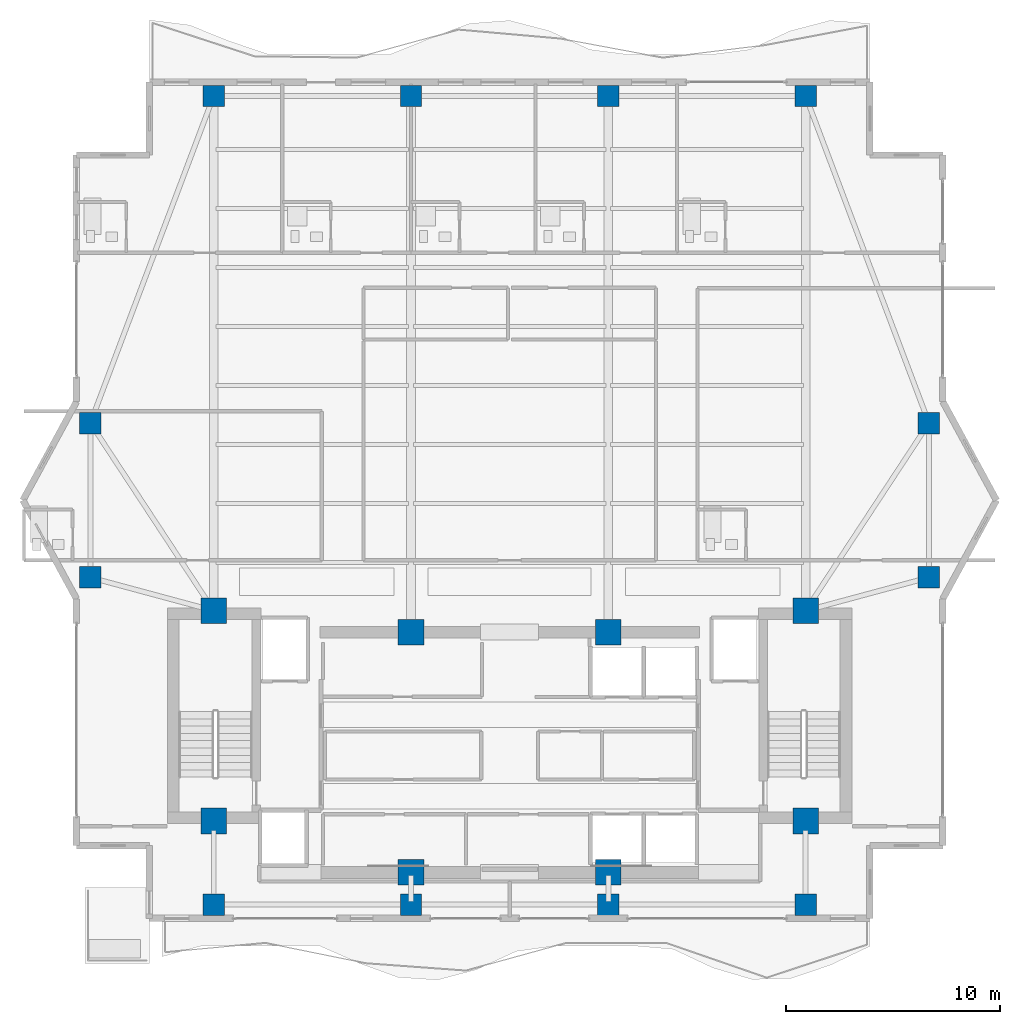
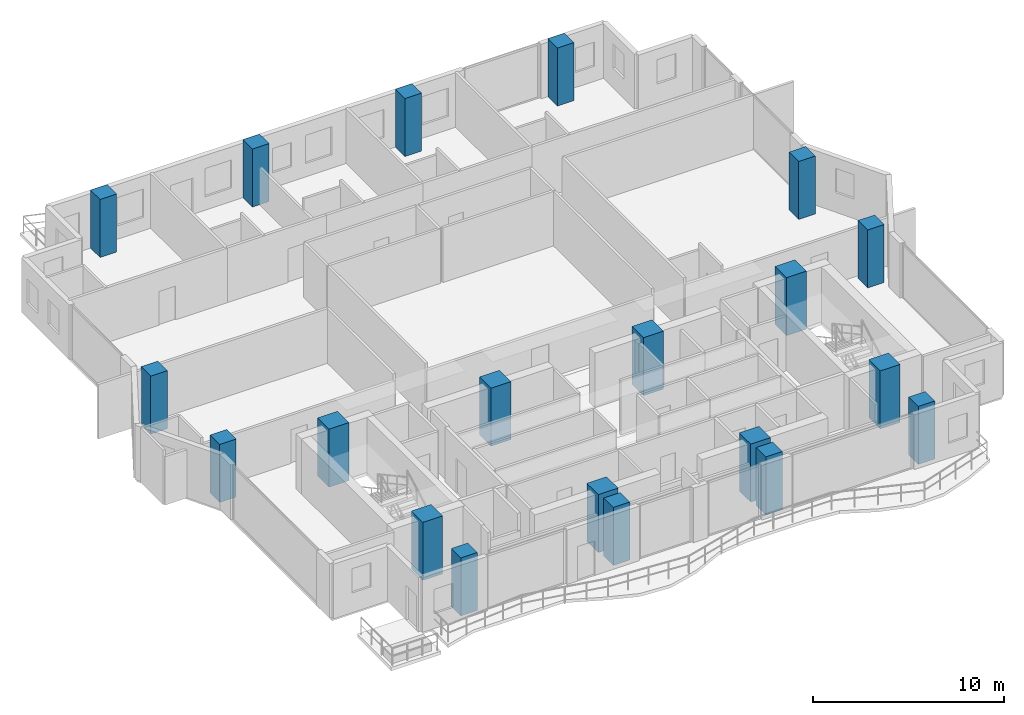
# One storey, part 1 of 26: 20 columns.
"""IFC4 building model written with IfcOpenShell, lengths in metres."""

from ifc_helpers import new_model, si_unit, direction, frame, origin, origin_2d, place, context, subcontext, project, spatial, rectangle, extrude, material, material_profile, profile_set, type_object, element, save


model = new_model("IFC4")

# Units and contexts
model_context = context("Model", 3, precision=1e-05, world=origin(), true_north=direction((0.0, 1.0)))
body_context = subcontext(model_context, "Body", "Model", "MODEL_VIEW")
ifc_project = project(units=[si_unit("LENGTHUNIT", "METRE"), si_unit("AREAUNIT", "SQUARE_METRE"), si_unit("VOLUMEUNIT", "CUBIC_METRE"), si_unit("PLANEANGLEUNIT", "RADIAN"), si_unit("MASSUNIT", "GRAM", prefix="KILO")], contexts=[model_context])

# Site, building, storey
site_placement = place(None, origin())
site = spatial("IfcSite", under=ifc_project, at=site_placement, CompositionType="ELEMENT")
building_placement = place(site_placement, origin())
building = spatial("IfcBuilding", under=site, at=building_placement, Name="Zuhayl Quay Hotel", CompositionType="ELEMENT")
storey_placement = place(building_placement, frame((0.0, 0.0, 247.050048828125)))
storey = spatial("IfcBuildingStorey", under=building, at=storey_placement, Name="L62", CompositionType="ELEMENT", Elevation=247.050048828125)

# Columns
ifc_material = material(Name="Concrete C60/75", Category="concrete")
ifc_material_profile_1 = material_profile(ifc_material, rectangle(XDim=1.199951171875, YDim=1.199951171875, at=origin_2d()), Name="RC1200X1200")
ifc_profile_set_1 = profile_set([ifc_material_profile_1], Name="Concrete C60/75")
column_type_1 = type_object("IfcColumnType", Name="CL_CC2_1200", PredefinedType="COLUMN", material=ifc_profile_set_1)
for number, where, z_axis, x_axis, name in (
    (1, (-13.800048828125, 14.35009765625, 0.0), (0.0, 0.0, 1.0), (1.0, 0.0, 0.0), "L62 Core Column CC_NW"),
    (2, (-4.60009765625, 13.35009765625, 0.0), (0.0, 0.0, 1.0), (1.0, 0.0, 0.0), "L62 Core Column CC_CNW"),
    (3, (4.60009765625, 13.35009765625, 0.0), (0.0, 0.0, 1.0), (1.0, 0.0, 0.0), "L62 Core Column CC_CNE"),
    (4, (13.800048828125, 14.35009765625, 0.0), (0.0, 0.0, 1.0), (1.0, 0.0, 0.0), "L62 Core Column CC_NE"),
    (5, (-13.800048828125, 4.550048828125, 0.0), (0.0, 0.0, 1.0), (1.0, 0.0, 0.0), "L62 Core Column CC_SW"),
    (6, (-4.60009765625, 2.14990234375, 0.0), (0.0, 0.0, 1.0), (1.0, 0.0, 0.0), "L62 Core Column CC_CSW"),
    (7, (4.60009765625, 2.14990234375, 0.0), (0.0, 0.0, 1.0), (1.0, 0.0, 0.0), "L62 Core Column CC_CSE"),
    (8, (13.800048828125, 4.550048828125, 0.0), (0.0, 0.0, 1.0), (1.0, 0.0, 0.0), "L62 Core Column CC_SE"),
):
    element("IfcColumn", number, at=place(storey_placement, frame(where, z_axis=z_axis, x_axis=x_axis)), inside=storey, type_object=column_type_1, Name=name, PredefinedType="COLUMN", context=body_context, shape_type="SweptSolid", body=[
        extrude(rectangle(XDim=1.199951171875, YDim=1.199951171875, at=origin_2d()), origin(), (0.0, 0.0, 1.0), 3.699951171875),
    ])
ifc_material_profile_2 = material_profile(ifc_material, rectangle(XDim=1.0, YDim=1.0, at=origin_2d()), Name="RC1000X1000")
ifc_profile_set_2 = profile_set([ifc_material_profile_2], Name="Concrete C60/75")
column_type_2 = type_object("IfcColumnType", Name="CL_MC4_1000", PredefinedType="COLUMN", material=ifc_profile_set_2)
for number, where, z_axis, x_axis, name in (
    (9, (-13.800048828125, 0.64990234375, 0.0), (0.0, 0.0, 1.0), (1.0, 0.0, 0.0), "L62 Mega-Column MC_S1"),
    (10, (-4.60009765625, 0.64990234375, 0.0), (0.0, 0.0, 1.0), (1.0, 0.0, 0.0), "L62 Mega-Column MC_S2"),
    (11, (4.60009765625, 0.64990234375, 0.0), (0.0, 0.0, 1.0), (1.0, 0.0, 0.0), "L62 Mega-Column MC_S3"),
    (12, (13.800048828125, 0.64990234375, 0.0), (0.0, 0.0, 1.0), (1.0, 0.0, 0.0), "L62 Mega-Column MC_S4"),
    (13, (-13.800048828125, 38.35009765625, 0.0), (0.0, 0.0, 1.0), (1.0, 0.0, 0.0), "L62 Mega-Column MC_N1"),
    (14, (-4.60009765625, 38.35009765625, 0.0), (0.0, 0.0, 1.0), (1.0, 0.0, 0.0), "L62 Mega-Column MC_N2"),
    (15, (4.60009765625, 38.35009765625, 0.0), (0.0, 0.0, 1.0), (1.0, 0.0, 0.0), "L62 Mega-Column MC_N3"),
    (16, (13.800048828125, 38.35009765625, 0.0), (0.0, 0.0, 1.0), (1.0, 0.0, 0.0), "L62 Mega-Column MC_N4"),
    (17, (-19.550048828125, 15.89990234375, 0.0), (0.0, 0.0, 1.0), (1.0, 0.0, 0.0), "L62 Mega-Column MC_W1"),
    (18, (-19.550048828125, 23.10009765625, 0.0), (0.0, 0.0, 1.0), (1.0, 0.0, 0.0), "L62 Mega-Column MC_W2"),
    (19, (19.550048828125, 15.89990234375, 0.0), (0.0, 0.0, 1.0), (1.0, 0.0, 0.0), "L62 Mega-Column MC_E1"),
    (20, (19.550048828125, 23.10009765625, 0.0), (0.0, 0.0, 1.0), (1.0, 0.0, 0.0), "L62 Mega-Column MC_E2"),
):
    element("IfcColumn", number, at=place(storey_placement, frame(where, z_axis=z_axis, x_axis=x_axis)), inside=storey, type_object=column_type_2, Name=name, PredefinedType="COLUMN", context=body_context, shape_type="SweptSolid", body=[
        extrude(rectangle(XDim=1.0, YDim=1.0, at=origin_2d()), origin(), (0.0, 0.0, 1.0), 3.699951171875),
    ])

save(model, "model.ifc")
